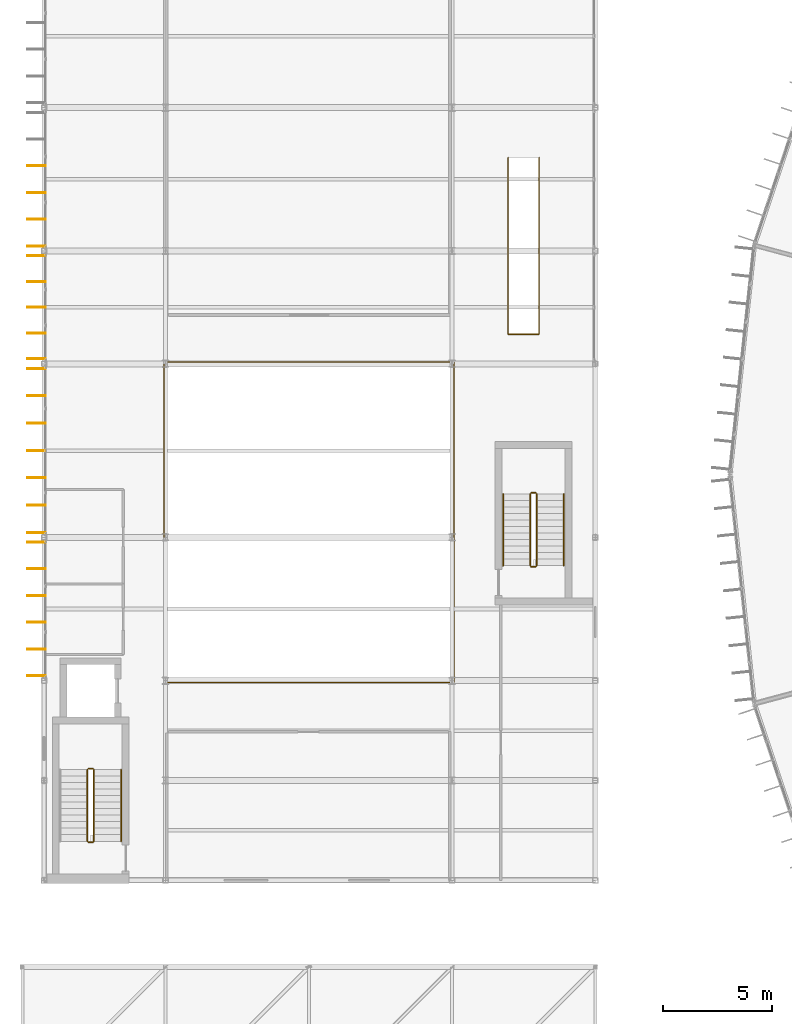
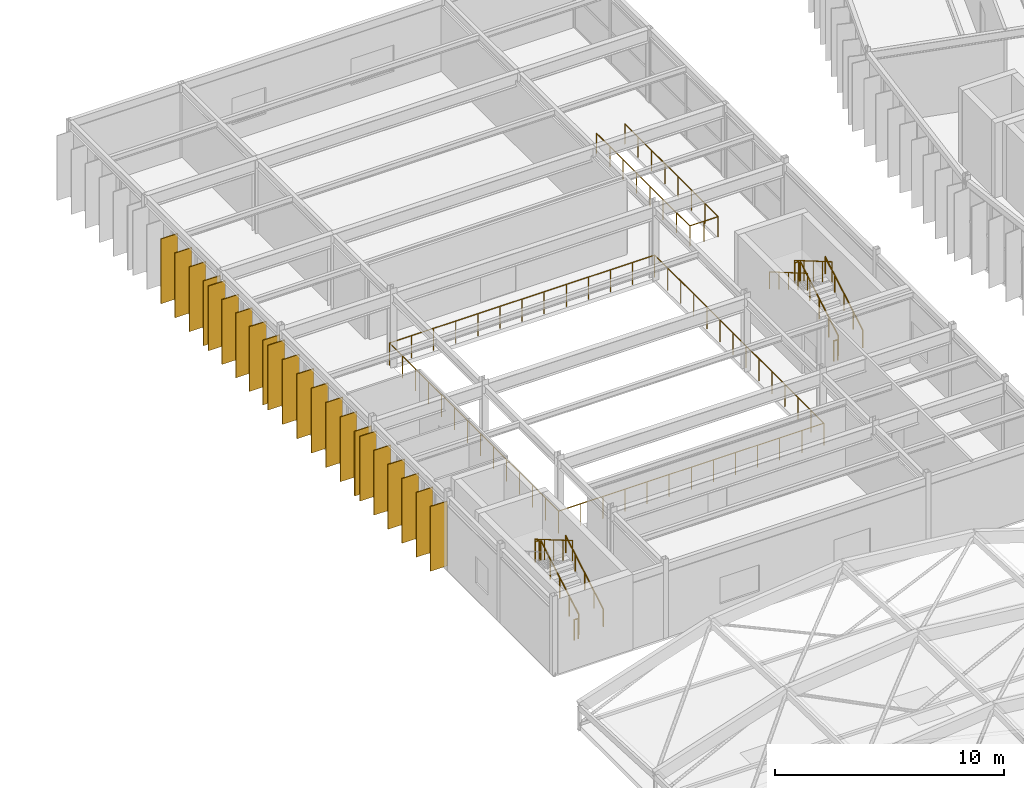
# One storey, part 148 of 157: 22 shading devices, 13 railings.
"""IFC4 building model written with IfcOpenShell, lengths in metres."""

from ifc_helpers import new_model, si_unit, direction, frame, origin, origin_2d, place, context, subcontext, project, spatial, rectangle, circle, extrude, material, layer, layer_set, type_object, element, save


model = new_model("IFC4")

# Units and contexts
model_context = context("Model", 3, precision=1e-05, world=origin(), true_north=direction((0.0, 1.0)))
body_context = subcontext(model_context, "Body", "Model", "MODEL_VIEW")
ifc_project = project(units=[si_unit("LENGTHUNIT", "METRE"), si_unit("AREAUNIT", "SQUARE_METRE"), si_unit("VOLUMEUNIT", "CUBIC_METRE"), si_unit("PLANEANGLEUNIT", "RADIAN"), si_unit("MASSUNIT", "GRAM", prefix="KILO")], contexts=[model_context])

# Site, building, storey
site_placement = place(None, origin())
site = spatial("IfcSite", under=ifc_project, at=site_placement, CompositionType="ELEMENT")
building_placement = place(site_placement, origin())
building = spatial("IfcBuilding", under=site, at=building_placement, Name="Karori Crest Natural Sciences Institute", CompositionType="ELEMENT")
storey_placement = place(building_placement, frame((0.0, 0.0, 13.300048828125)))
storey = spatial("IfcBuildingStorey", under=building, at=storey_placement, Name="L03", CompositionType="ELEMENT", Elevation=13.300048828125)

# Railings
ifc_material_1 = material(Name="Stainless steel 316 balustrade", Category="steel")
railing_type_1 = type_object("IfcRailingType", Name="RLT-GRD", PredefinedType="GUARDRAIL", material=ifc_material_1)
railing_1_placement = place(storey_placement, frame((7.320068359375, 40.320068359375, 0.0)))
element("IfcRailing", 1, at=railing_1_placement, inside=storey, type_object=railing_type_1, Name="Atrium void perimeter guard GR-0010", PredefinedType="GUARDRAIL", context=body_context, shape_type="SweptSolid", body=[
    extrude(circle(Radius=0.02392578125, at=origin_2d()), frame((0.0, 0.0, 1.17578125), z_axis=(1.0, 0.0, 0.0), x_axis=(0.0, 1.0, 0.0)), (0.0, 0.0, 1.0), 13.35986328125),
    extrude(circle(Radius=0.02392578125, at=origin_2d()), frame((13.35986328125, 0.0, 1.17578125), z_axis=(0.0, 1.0, 0.0), x_axis=(-1.0, 0.0, 0.0)), (0.0, 0.0, 1.0), 14.760009765625),
    extrude(circle(Radius=0.02392578125, at=origin_2d()), frame((13.35986328125, 14.760009765625, 1.17578125), z_axis=(-1.0, 0.0, 0.0), x_axis=(0.0, -1.0, 0.0)), (0.0, 0.0, 1.0), 13.35986328125),
    extrude(circle(Radius=0.02392578125, at=origin_2d()), frame((0.0, 14.760009765625, 1.17578125), z_axis=(0.0, -1.0, 0.0), x_axis=(1.0, 0.0, 0.0)), (0.0, 0.0, 1.0), 14.760009765625),
    extrude(circle(Radius=0.02099609375, at=origin_2d()), origin(), (0.0, 0.0, 1.0), 1.15185546875),
    extrude(circle(Radius=0.02099609375, at=origin_2d()), frame((1.11328125, 0.0, 0.0)), (0.0, 0.0, 1.0), 1.15185546875),
    extrude(circle(Radius=0.02099609375, at=origin_2d()), frame((2.2265625, 0.0, 0.0)), (0.0, 0.0, 1.0), 1.15185546875),
    extrude(circle(Radius=0.02099609375, at=origin_2d()), frame((3.33984375, 0.0, 0.0)), (0.0, 0.0, 1.0), 1.15185546875),
    extrude(circle(Radius=0.02099609375, at=origin_2d()), frame((4.453369140625, 0.0, 0.0)), (0.0, 0.0, 1.0), 1.15185546875),
    extrude(circle(Radius=0.02099609375, at=origin_2d()), frame((5.566650390625, 0.0, 0.0)), (0.0, 0.0, 1.0), 1.15185546875),
    extrude(circle(Radius=0.02099609375, at=origin_2d()), frame((6.679931640625, 0.0, 0.0)), (0.0, 0.0, 1.0), 1.15185546875),
    extrude(circle(Radius=0.02099609375, at=origin_2d()), frame((7.793212890625, 0.0, 0.0)), (0.0, 0.0, 1.0), 1.15185546875),
    extrude(circle(Radius=0.02099609375, at=origin_2d()), frame((8.906494140625, 0.0, 0.0)), (0.0, 0.0, 1.0), 1.15185546875),
    extrude(circle(Radius=0.02099609375, at=origin_2d()), frame((10.02001953125, 0.0, 0.0)), (0.0, 0.0, 1.0), 1.15185546875),
    extrude(circle(Radius=0.02099609375, at=origin_2d()), frame((11.13330078125, 0.0, 0.0)), (0.0, 0.0, 1.0), 1.15185546875),
    extrude(circle(Radius=0.02099609375, at=origin_2d()), frame((12.24658203125, 0.0, 0.0)), (0.0, 0.0, 1.0), 1.15185546875),
    extrude(circle(Radius=0.02099609375, at=origin_2d()), frame((13.35986328125, 0.0, 0.0)), (0.0, 0.0, 1.0), 1.15185546875),
    extrude(circle(Radius=0.02099609375, at=origin_2d()), frame((13.35986328125, 1.135498046875, 0.0)), (0.0, 0.0, 1.0), 1.15185546875),
    extrude(circle(Radius=0.02099609375, at=origin_2d()), frame((13.35986328125, 2.270751953125, 0.0)), (0.0, 0.0, 1.0), 1.15185546875),
    extrude(circle(Radius=0.02099609375, at=origin_2d()), frame((13.35986328125, 3.40625, 0.0)), (0.0, 0.0, 1.0), 1.15185546875),
    extrude(circle(Radius=0.02099609375, at=origin_2d()), frame((13.35986328125, 4.54150390625, 0.0)), (0.0, 0.0, 1.0), 1.15185546875),
    extrude(circle(Radius=0.02099609375, at=origin_2d()), frame((13.35986328125, 5.677001953125, 0.0)), (0.0, 0.0, 1.0), 1.15185546875),
    extrude(circle(Radius=0.02099609375, at=origin_2d()), frame((13.35986328125, 6.812255859375, 0.0)), (0.0, 0.0, 1.0), 1.15185546875),
    extrude(circle(Radius=0.02099609375, at=origin_2d()), frame((13.35986328125, 7.94775390625, 0.0)), (0.0, 0.0, 1.0), 1.15185546875),
    extrude(circle(Radius=0.02099609375, at=origin_2d()), frame((13.35986328125, 9.0830078125, 0.0)), (0.0, 0.0, 1.0), 1.15185546875),
    extrude(circle(Radius=0.02099609375, at=origin_2d()), frame((13.35986328125, 10.218505859375, 0.0)), (0.0, 0.0, 1.0), 1.15185546875),
    extrude(circle(Radius=0.02099609375, at=origin_2d()), frame((13.35986328125, 11.353759765625, 0.0)), (0.0, 0.0, 1.0), 1.15185546875),
    extrude(circle(Radius=0.02099609375, at=origin_2d()), frame((13.35986328125, 12.4892578125, 0.0)), (0.0, 0.0, 1.0), 1.15185546875),
    extrude(circle(Radius=0.02099609375, at=origin_2d()), frame((13.35986328125, 13.62451171875, 0.0)), (0.0, 0.0, 1.0), 1.15185546875),
    extrude(circle(Radius=0.02099609375, at=origin_2d()), frame((13.35986328125, 14.760009765625, 0.0)), (0.0, 0.0, 1.0), 1.15185546875),
    extrude(circle(Radius=0.02099609375, at=origin_2d()), frame((12.24658203125, 14.760009765625, 0.0)), (0.0, 0.0, 1.0), 1.15185546875),
    extrude(circle(Radius=0.02099609375, at=origin_2d()), frame((11.13330078125, 14.760009765625, 0.0)), (0.0, 0.0, 1.0), 1.15185546875),
    extrude(circle(Radius=0.02099609375, at=origin_2d()), frame((10.02001953125, 14.760009765625, 0.0)), (0.0, 0.0, 1.0), 1.15185546875),
    extrude(circle(Radius=0.02099609375, at=origin_2d()), frame((8.906494140625, 14.760009765625, 0.0)), (0.0, 0.0, 1.0), 1.15185546875),
    extrude(circle(Radius=0.02099609375, at=origin_2d()), frame((7.793212890625, 14.760009765625, 0.0)), (0.0, 0.0, 1.0), 1.15185546875),
    extrude(circle(Radius=0.02099609375, at=origin_2d()), frame((6.679931640625, 14.760009765625, 0.0)), (0.0, 0.0, 1.0), 1.15185546875),
    extrude(circle(Radius=0.02099609375, at=origin_2d()), frame((5.566650390625, 14.760009765625, 0.0)), (0.0, 0.0, 1.0), 1.15185546875),
    extrude(circle(Radius=0.02099609375, at=origin_2d()), frame((4.453369140625, 14.760009765625, 0.0)), (0.0, 0.0, 1.0), 1.15185546875),
    extrude(circle(Radius=0.02099609375, at=origin_2d()), frame((3.33984375, 14.760009765625, 0.0)), (0.0, 0.0, 1.0), 1.15185546875),
    extrude(circle(Radius=0.02099609375, at=origin_2d()), frame((2.2265625, 14.760009765625, 0.0)), (0.0, 0.0, 1.0), 1.15185546875),
    extrude(circle(Radius=0.02099609375, at=origin_2d()), frame((1.11328125, 14.760009765625, 0.0)), (0.0, 0.0, 1.0), 1.15185546875),
    extrude(circle(Radius=0.02099609375, at=origin_2d()), frame((0.0, 14.760009765625, 0.0)), (0.0, 0.0, 1.0), 1.15185546875),
    extrude(circle(Radius=0.02099609375, at=origin_2d()), frame((0.0, 13.62451171875, 0.0)), (0.0, 0.0, 1.0), 1.15185546875),
    extrude(circle(Radius=0.02099609375, at=origin_2d()), frame((0.0, 12.4892578125, 0.0)), (0.0, 0.0, 1.0), 1.15185546875),
    extrude(circle(Radius=0.02099609375, at=origin_2d()), frame((0.0, 11.353759765625, 0.0)), (0.0, 0.0, 1.0), 1.15185546875),
    extrude(circle(Radius=0.02099609375, at=origin_2d()), frame((0.0, 10.218505859375, 0.0)), (0.0, 0.0, 1.0), 1.15185546875),
    extrude(circle(Radius=0.02099609375, at=origin_2d()), frame((0.0, 9.0830078125, 0.0)), (0.0, 0.0, 1.0), 1.15185546875),
    extrude(circle(Radius=0.02099609375, at=origin_2d()), frame((0.0, 7.94775390625, 0.0)), (0.0, 0.0, 1.0), 1.15185546875),
    extrude(circle(Radius=0.02099609375, at=origin_2d()), frame((0.0, 6.812255859375, 0.0)), (0.0, 0.0, 1.0), 1.15185546875),
    extrude(circle(Radius=0.02099609375, at=origin_2d()), frame((0.0, 5.677001953125, 0.0)), (0.0, 0.0, 1.0), 1.15185546875),
    extrude(circle(Radius=0.02099609375, at=origin_2d()), frame((0.0, 4.54150390625, 0.0)), (0.0, 0.0, 1.0), 1.15185546875),
    extrude(circle(Radius=0.02099609375, at=origin_2d()), frame((0.0, 3.40625, 0.0)), (0.0, 0.0, 1.0), 1.15185546875),
    extrude(circle(Radius=0.02099609375, at=origin_2d()), frame((0.0, 2.270751953125, 0.0)), (0.0, 0.0, 1.0), 1.15185546875),
    extrude(circle(Radius=0.02099609375, at=origin_2d()), frame((0.0, 1.135498046875, 0.0)), (0.0, 0.0, 1.0), 1.15185546875),
])
ifc_material_2 = material(Name="Stainless steel 316 tubular handrail", Category="steel")
railing_type_2 = type_object("IfcRailingType", Name="RLT-HND", PredefinedType="HANDRAIL", material=ifc_material_2)
for number, where, name in (
    (2, (5.35009765625, 33.0, 0.175048828125), "Stair handrail RL-0335"),
    (3, (25.75, 45.699951171875, 0.175048828125), "Stair handrail RL-0366"),
):
    element("IfcRailing", number, at=place(storey_placement, frame(where)), inside=storey, type_object=railing_type_2, Name=name, PredefinedType="HANDRAIL", context=body_context, shape_type="SweptSolid", body=[
        extrude(circle(Radius=0.02392578125, at=origin_2d()), frame((0.0, 0.0, 0.90087890625), z_axis=(0.0, 0.863804395585, 0.503827317807), x_axis=(-1.0, 0.0, 0.0)), (0.0, 0.0, 1.0), 3.8203125),
        extrude(circle(Radius=0.02099609375, at=origin_2d()), origin(), (0.0, 0.0, 1.0), 0.876953125),
        extrude(circle(Radius=0.02099609375, at=origin_2d()), frame((0.0, 0.824951171875, 0.481201171875)), (0.0, 0.0, 1.0), 0.876953125),
        extrude(circle(Radius=0.02099609375, at=origin_2d()), frame((0.0, 1.64990234375, 0.96240234375)), (0.0, 0.0, 1.0), 0.876953125),
        extrude(circle(Radius=0.02099609375, at=origin_2d()), frame((0.0, 2.47509765625, 1.443603515625)), (0.0, 0.0, 1.0), 0.876953125),
        extrude(circle(Radius=0.02099609375, at=origin_2d()), frame((0.0, 3.300048828125, 1.9248046875)), (0.0, 0.0, 1.0), 0.876953125),
    ])
railing_2_placement = place(storey_placement, frame((22.949951171875, 49.0, 2.27490234375)))
element("IfcRailing", 4, at=railing_2_placement, inside=storey, type_object=railing_type_2, Name="Stair handrail RL-0367", PredefinedType="HANDRAIL", context=body_context, shape_type="SweptSolid", body=[
    extrude(circle(Radius=0.02392578125, at=origin_2d()), frame((0.0, 0.0, 0.90087890625), z_axis=(0.0, -0.863776583165, 0.503874998761), x_axis=(1.0, 0.0, 0.0)), (0.0, 0.0, 1.0), 3.820556640625),
    extrude(circle(Radius=0.02099609375, at=origin_2d()), origin(), (0.0, 0.0, 1.0), 0.876953125),
    extrude(circle(Radius=0.02099609375, at=origin_2d()), frame((0.0, -0.824951171875, 0.481201171875)), (0.0, 0.0, 1.0), 0.876953125),
    extrude(circle(Radius=0.02099609375, at=origin_2d()), frame((0.0, -1.64990234375, 0.96240234375)), (0.0, 0.0, 1.0), 0.876953125),
    extrude(circle(Radius=0.02099609375, at=origin_2d()), frame((0.0, -2.47509765625, 1.44384765625)), (0.0, 0.0, 1.0), 0.876953125),
    extrude(circle(Radius=0.02099609375, at=origin_2d()), frame((0.0, -3.300048828125, 1.925048828125)), (0.0, 0.0, 1.0), 0.876953125),
])
ifc_material_3 = material(Name="Stainless steel 316 stair guard", Category="steel")
railing_type_3 = type_object("IfcRailingType", Name="RLT-STG", PredefinedType="GUARDRAIL", material=ifc_material_3)
railing_3_placement = place(storey_placement, frame((4.10009765625, 33.0, 0.175048828125)))
element("IfcRailing", 5, at=railing_3_placement, inside=storey, type_object=railing_type_3, Name="Stair guard RL-0331", PredefinedType="GUARDRAIL", context=body_context, shape_type="SweptSolid", body=[
    extrude(circle(Radius=0.02392578125, at=origin_2d()), frame((0.0, 0.0, 1.076171875), z_axis=(0.0, 0.863804395585, 0.503827317807), x_axis=(-1.0, 0.0, 0.0)), (0.0, 0.0, 1.0), 3.8203125),
    extrude(circle(Radius=0.02099609375, at=origin_2d()), origin(), (0.0, 0.0, 1.0), 1.052001953125),
    extrude(circle(Radius=0.02099609375, at=origin_2d()), frame((0.0, 0.824951171875, 0.481201171875)), (0.0, 0.0, 1.0), 1.052001953125),
    extrude(circle(Radius=0.02099609375, at=origin_2d()), frame((0.0, 1.64990234375, 0.96240234375)), (0.0, 0.0, 1.0), 1.052001953125),
    extrude(circle(Radius=0.02099609375, at=origin_2d()), frame((0.0, 2.47509765625, 1.443603515625)), (0.0, 0.0, 1.0), 1.052001953125),
    extrude(circle(Radius=0.02099609375, at=origin_2d()), frame((0.0, 3.300048828125, 1.9248046875)), (0.0, 0.0, 1.0), 1.052001953125),
])
railing_4_placement = place(storey_placement, frame((4.050048828125, 36.35009765625, 2.099853515625)))
element("IfcRailing", 6, at=railing_4_placement, inside=storey, type_object=railing_type_3, Name="Stair guard RL-0332", PredefinedType="GUARDRAIL", context=body_context, shape_type="SweptSolid", body=[
    extrude(circle(Radius=0.02392578125, at=origin_2d()), frame((0.0, 0.0, 1.076171875), z_axis=(-1.0, 0.0, 0.0), x_axis=(0.0, -1.0, 0.0)), (0.0, 0.0, 1.0), 0.199951171875),
    extrude(circle(Radius=0.02099609375, at=origin_2d()), origin(), (0.0, 0.0, 1.0), 1.052001953125),
    extrude(circle(Radius=0.02099609375, at=origin_2d()), frame((-0.199951171875, 0.0, 0.0)), (0.0, 0.0, 1.0), 1.052001953125),
])
railing_5_placement = place(storey_placement, frame((3.800048828125, 36.300048828125, 2.27490234375)))
element("IfcRailing", 7, at=railing_5_placement, inside=storey, type_object=railing_type_3, Name="Stair guard RL-0333", PredefinedType="GUARDRAIL", context=body_context, shape_type="SweptSolid", body=[
    extrude(circle(Radius=0.02392578125, at=origin_2d()), frame((0.0, 0.0, 1.076171875), z_axis=(0.0, -0.863776583165, 0.503874998761), x_axis=(1.0, 0.0, 0.0)), (0.0, 0.0, 1.0), 3.820556640625),
    extrude(circle(Radius=0.02099609375, at=origin_2d()), origin(), (0.0, 0.0, 1.0), 1.052001953125),
    extrude(circle(Radius=0.02099609375, at=origin_2d()), frame((0.0, -0.824951171875, 0.481201171875)), (0.0, 0.0, 1.0), 1.052001953125),
    extrude(circle(Radius=0.02099609375, at=origin_2d()), frame((0.0, -1.64990234375, 0.96240234375)), (0.0, 0.0, 1.0), 1.052001953125),
    extrude(circle(Radius=0.02099609375, at=origin_2d()), frame((0.0, -2.47509765625, 1.44384765625)), (0.0, 0.0, 1.0), 1.052001953125),
    extrude(circle(Radius=0.02099609375, at=origin_2d()), frame((0.0, -3.300048828125, 1.925048828125)), (0.0, 0.0, 1.0), 1.052001953125),
])
railing_6_placement = place(storey_placement, frame((4.050048828125, 32.949951171875, 0.0)))
element("IfcRailing", 8, at=railing_6_placement, inside=storey, type_object=railing_type_3, Name="Stair guard RL-0334", PredefinedType="GUARDRAIL", context=body_context, shape_type="SweptSolid", body=[
    extrude(circle(Radius=0.02392578125, at=origin_2d()), frame((0.0, 0.0, 1.076171875), z_axis=(-1.0, 0.0, 0.0), x_axis=(0.0, -1.0, 0.0)), (0.0, 0.0, 1.0), 0.199951171875),
    extrude(circle(Radius=0.02099609375, at=origin_2d()), origin(), (0.0, 0.0, 1.0), 1.052001953125),
    extrude(circle(Radius=0.02099609375, at=origin_2d()), frame((-0.199951171875, 0.0, 0.0)), (0.0, 0.0, 1.0), 1.052001953125),
])
railing_7_placement = place(storey_placement, frame((24.5, 45.699951171875, 0.175048828125)))
element("IfcRailing", 9, at=railing_7_placement, inside=storey, type_object=railing_type_3, Name="Stair guard RL-0362", PredefinedType="GUARDRAIL", context=body_context, shape_type="SweptSolid", body=[
    extrude(circle(Radius=0.02392578125, at=origin_2d()), frame((0.0, 0.0, 1.076171875), z_axis=(0.0, 0.863804395585, 0.503827317807), x_axis=(-1.0, 0.0, 0.0)), (0.0, 0.0, 1.0), 3.8203125),
    extrude(circle(Radius=0.02099609375, at=origin_2d()), origin(), (0.0, 0.0, 1.0), 1.052001953125),
    extrude(circle(Radius=0.02099609375, at=origin_2d()), frame((0.0, 0.824951171875, 0.481201171875)), (0.0, 0.0, 1.0), 1.052001953125),
    extrude(circle(Radius=0.02099609375, at=origin_2d()), frame((0.0, 1.64990234375, 0.96240234375)), (0.0, 0.0, 1.0), 1.052001953125),
    extrude(circle(Radius=0.02099609375, at=origin_2d()), frame((0.0, 2.47509765625, 1.443603515625)), (0.0, 0.0, 1.0), 1.052001953125),
    extrude(circle(Radius=0.02099609375, at=origin_2d()), frame((0.0, 3.300048828125, 1.9248046875)), (0.0, 0.0, 1.0), 1.052001953125),
])
railing_8_placement = place(storey_placement, frame((24.449951171875, 49.050048828125, 2.099853515625)))
element("IfcRailing", 10, at=railing_8_placement, inside=storey, type_object=railing_type_3, Name="Stair guard RL-0363", PredefinedType="GUARDRAIL", context=body_context, shape_type="SweptSolid", body=[
    extrude(circle(Radius=0.02392578125, at=origin_2d()), frame((0.0, 0.0, 1.076171875), z_axis=(-1.0, 0.0, 0.0), x_axis=(0.0, -1.0, 0.0)), (0.0, 0.0, 1.0), 0.199951171875),
    extrude(circle(Radius=0.02099609375, at=origin_2d()), origin(), (0.0, 0.0, 1.0), 1.052001953125),
    extrude(circle(Radius=0.02099609375, at=origin_2d()), frame((-0.199951171875, 0.0, 0.0)), (0.0, 0.0, 1.0), 1.052001953125),
])
railing_9_placement = place(storey_placement, frame((24.199951171875, 49.0, 2.27490234375)))
element("IfcRailing", 11, at=railing_9_placement, inside=storey, type_object=railing_type_3, Name="Stair guard RL-0364", PredefinedType="GUARDRAIL", context=body_context, shape_type="SweptSolid", body=[
    extrude(circle(Radius=0.02392578125, at=origin_2d()), frame((0.0, 0.0, 1.076171875), z_axis=(0.0, -0.863776583165, 0.503874998761), x_axis=(1.0, 0.0, 0.0)), (0.0, 0.0, 1.0), 3.820556640625),
    extrude(circle(Radius=0.02099609375, at=origin_2d()), origin(), (0.0, 0.0, 1.0), 1.052001953125),
    extrude(circle(Radius=0.02099609375, at=origin_2d()), frame((0.0, -0.824951171875, 0.481201171875)), (0.0, 0.0, 1.0), 1.052001953125),
    extrude(circle(Radius=0.02099609375, at=origin_2d()), frame((0.0, -1.64990234375, 0.96240234375)), (0.0, 0.0, 1.0), 1.052001953125),
    extrude(circle(Radius=0.02099609375, at=origin_2d()), frame((0.0, -2.47509765625, 1.44384765625)), (0.0, 0.0, 1.0), 1.052001953125),
    extrude(circle(Radius=0.02099609375, at=origin_2d()), frame((0.0, -3.300048828125, 1.925048828125)), (0.0, 0.0, 1.0), 1.052001953125),
])
railing_10_placement = place(storey_placement, frame((24.449951171875, 45.64990234375, 0.0)))
element("IfcRailing", 12, at=railing_10_placement, inside=storey, type_object=railing_type_3, Name="Stair guard RL-0365", PredefinedType="GUARDRAIL", context=body_context, shape_type="SweptSolid", body=[
    extrude(circle(Radius=0.02392578125, at=origin_2d()), frame((0.0, 0.0, 1.076171875), z_axis=(-1.0, 0.0, 0.0), x_axis=(0.0, -1.0, 0.0)), (0.0, 0.0, 1.0), 0.199951171875),
    extrude(circle(Radius=0.02099609375, at=origin_2d()), origin(), (0.0, 0.0, 1.0), 1.052001953125),
    extrude(circle(Radius=0.02099609375, at=origin_2d()), frame((-0.199951171875, 0.0, 0.0)), (0.0, 0.0, 1.0), 1.052001953125),
])
railing_11_placement = place(storey_placement, frame((23.18505859375, 64.5, 0.0)))
element("IfcRailing", 13, at=railing_11_placement, inside=storey, type_object=railing_type_3, Name="Feature stair well guard RL-0427", PredefinedType="GUARDRAIL", context=body_context, shape_type="SweptSolid", body=[
    extrude(circle(Radius=0.02392578125, at=origin_2d()), frame((0.0, 0.0, 1.076171875), z_axis=(0.0, -1.0, 0.0), x_axis=(1.0, 0.0, 0.0)), (0.0, 0.0, 1.0), 8.139892578125),
    extrude(circle(Radius=0.02392578125, at=origin_2d()), frame((0.0, -8.139892578125, 1.076171875), z_axis=(1.0, 0.0, 0.0), x_axis=(0.0, 1.0, 0.0)), (0.0, 0.0, 1.0), 1.429931640625),
    extrude(circle(Radius=0.02392578125, at=origin_2d()), frame((1.429931640625, -8.139892578125, 1.076171875), z_axis=(0.0, 1.0, 0.0), x_axis=(-1.0, 0.0, 0.0)), (0.0, 0.0, 1.0), 8.139892578125),
    extrude(circle(Radius=0.02099609375, at=origin_2d()), origin(), (0.0, 0.0, 1.0), 1.052001953125),
    extrude(circle(Radius=0.02099609375, at=origin_2d()), frame((0.0, -1.162841796875, 0.0)), (0.0, 0.0, 1.0), 1.052001953125),
    extrude(circle(Radius=0.02099609375, at=origin_2d()), frame((0.0, -2.32568359375, 0.0)), (0.0, 0.0, 1.0), 1.052001953125),
    extrude(circle(Radius=0.02099609375, at=origin_2d()), frame((0.0, -3.488525390625, 0.0)), (0.0, 0.0, 1.0), 1.052001953125),
    extrude(circle(Radius=0.02099609375, at=origin_2d()), frame((0.0, -4.6513671875, 0.0)), (0.0, 0.0, 1.0), 1.052001953125),
    extrude(circle(Radius=0.02099609375, at=origin_2d()), frame((0.0, -5.814208984375, 0.0)), (0.0, 0.0, 1.0), 1.052001953125),
    extrude(circle(Radius=0.02099609375, at=origin_2d()), frame((0.0, -6.97705078125, 0.0)), (0.0, 0.0, 1.0), 1.052001953125),
    extrude(circle(Radius=0.02099609375, at=origin_2d()), frame((0.0, -8.139892578125, 0.0)), (0.0, 0.0, 1.0), 1.052001953125),
    extrude(circle(Radius=0.02099609375, at=origin_2d()), frame((0.71484375, -8.139892578125, 0.0)), (0.0, 0.0, 1.0), 1.052001953125),
    extrude(circle(Radius=0.02099609375, at=origin_2d()), frame((1.429931640625, -8.139892578125, 0.0)), (0.0, 0.0, 1.0), 1.052001953125),
    extrude(circle(Radius=0.02099609375, at=origin_2d()), frame((1.429931640625, -6.97705078125, 0.0)), (0.0, 0.0, 1.0), 1.052001953125),
    extrude(circle(Radius=0.02099609375, at=origin_2d()), frame((1.429931640625, -5.814208984375, 0.0)), (0.0, 0.0, 1.0), 1.052001953125),
    extrude(circle(Radius=0.02099609375, at=origin_2d()), frame((1.429931640625, -4.6513671875, 0.0)), (0.0, 0.0, 1.0), 1.052001953125),
    extrude(circle(Radius=0.02099609375, at=origin_2d()), frame((1.429931640625, -3.488525390625, 0.0)), (0.0, 0.0, 1.0), 1.052001953125),
    extrude(circle(Radius=0.02099609375, at=origin_2d()), frame((1.429931640625, -2.32568359375, 0.0)), (0.0, 0.0, 1.0), 1.052001953125),
    extrude(circle(Radius=0.02099609375, at=origin_2d()), frame((1.429931640625, -1.162841796875, 0.0)), (0.0, 0.0, 1.0), 1.052001953125),
    extrude(circle(Radius=0.02099609375, at=origin_2d()), frame((1.429931640625, 0.0, 0.0)), (0.0, 0.0, 1.0), 1.052001953125),
])

# Shading devices
ifc_material_4 = material(Name="Anodised architectural aluminium 6063-T6", Category="aluminium")
ifc_layer = layer(ifc_material_4, 0.044921875, Name="Anodised architectural aluminium 6063-T6")
ifc_layer_set = layer_set([ifc_layer], Name="Anodised architectural aluminium 6063-T6")
shading_device_type = type_object("IfcShadingDeviceType", Name="SDT-FIN", PredefinedType="USERDEFINED", material=ifc_layer_set)
for number, where, z_axis, x_axis, name in (
    (14, (1.449951171875, 40.623046875, 0.0), (0.0, 0.0, 1.0), (-1.0, 0.0, 0.0), "Vertical solar fin FN-1349"),
    (15, (1.449951171875, 41.853759765625, 0.0), (0.0, 0.0, 1.0), (-1.0, 0.0, 0.0), "Vertical solar fin FN-1350"),
    (16, (1.449951171875, 43.084716796875, 0.0), (0.0, 0.0, 1.0), (-1.0, 0.0, 0.0), "Vertical solar fin FN-1351"),
    (17, (1.449951171875, 44.3154296875, 0.0), (0.0, 0.0, 1.0), (-1.0, 0.0, 0.0), "Vertical solar fin FN-1352"),
    (18, (1.449951171875, 45.546142578125, 0.0), (0.0, 0.0, 1.0), (-1.0, 0.0, 0.0), "Vertical solar fin FN-1353"),
    (19, (1.449951171875, 46.777099609375, 0.0), (0.0, 0.0, 1.0), (-1.0, 0.0, 0.0), "Vertical solar fin FN-1354"),
    (20, (1.449951171875, 47.222900390625, 0.0), (0.0, 0.0, 1.0), (-1.0, 0.0, 0.0), "Vertical solar fin FN-1355"),
    (21, (1.449951171875, 48.48193359375, 0.0), (0.0, 0.0, 1.0), (-1.0, 0.0, 0.0), "Vertical solar fin FN-1356"),
    (22, (1.449951171875, 49.740966796875, 0.0), (0.0, 0.0, 1.0), (-1.0, 0.0, 0.0), "Vertical solar fin FN-1357"),
    (23, (1.449951171875, 51.0, 0.0), (0.0, 0.0, 1.0), (-1.0, 0.0, 0.0), "Vertical solar fin FN-1358"),
    (24, (1.449951171875, 52.259033203125, 0.0), (0.0, 0.0, 1.0), (-1.0, 0.0, 0.0), "Vertical solar fin FN-1359"),
    (25, (1.449951171875, 53.51806640625, 0.0), (0.0, 0.0, 1.0), (-1.0, 0.0, 0.0), "Vertical solar fin FN-1360"),
    (26, (1.449951171875, 54.777099609375, 0.0), (0.0, 0.0, 1.0), (-1.0, 0.0, 0.0), "Vertical solar fin FN-1361"),
    (27, (1.449951171875, 55.222900390625, 0.0), (0.0, 0.0, 1.0), (-1.0, 0.0, 0.0), "Vertical solar fin FN-1362"),
    (28, (1.449951171875, 56.41162109375, 0.0), (0.0, 0.0, 1.0), (-1.0, 0.0, 0.0), "Vertical solar fin FN-1363"),
    (29, (1.449951171875, 57.60009765625, 0.0), (0.0, 0.0, 1.0), (-1.0, 0.0, 0.0), "Vertical solar fin FN-1364"),
    (30, (1.449951171875, 58.78857421875, 0.0), (0.0, 0.0, 1.0), (-1.0, 0.0, 0.0), "Vertical solar fin FN-1365"),
    (31, (1.449951171875, 59.97705078125, 0.0), (0.0, 0.0, 1.0), (-1.0, 0.0, 0.0), "Vertical solar fin FN-1366"),
    (32, (1.449951171875, 60.423095703125, 0.0), (0.0, 0.0, 1.0), (-1.0, 0.0, 0.0), "Vertical solar fin FN-1367"),
    (33, (1.449951171875, 61.65380859375, 0.0), (0.0, 0.0, 1.0), (-1.0, 0.0, 0.0), "Vertical solar fin FN-1368"),
    (34, (1.449951171875, 62.884521484375, 0.0), (0.0, 0.0, 1.0), (-1.0, 0.0, 0.0), "Vertical solar fin FN-1369"),
    (35, (1.449951171875, 64.115478515625, 0.0), (0.0, 0.0, 1.0), (-1.0, 0.0, 0.0), "Vertical solar fin FN-1370"),
):
    element("IfcShadingDevice", number, at=place(storey_placement, frame(where, z_axis=z_axis, x_axis=x_axis)), inside=storey, type_object=shading_device_type, Name=name, ObjectType="SOLAR_FIN", PredefinedType="USERDEFINED", context=body_context, shape_type="SweptSolid", body=[
        extrude(rectangle(XDim=0.85009765625, YDim=0.044921875, at=origin_2d()), origin(), (0.0, 0.0, 1.0), 3.445068359375),
    ])

save(model, "model.ifc")
